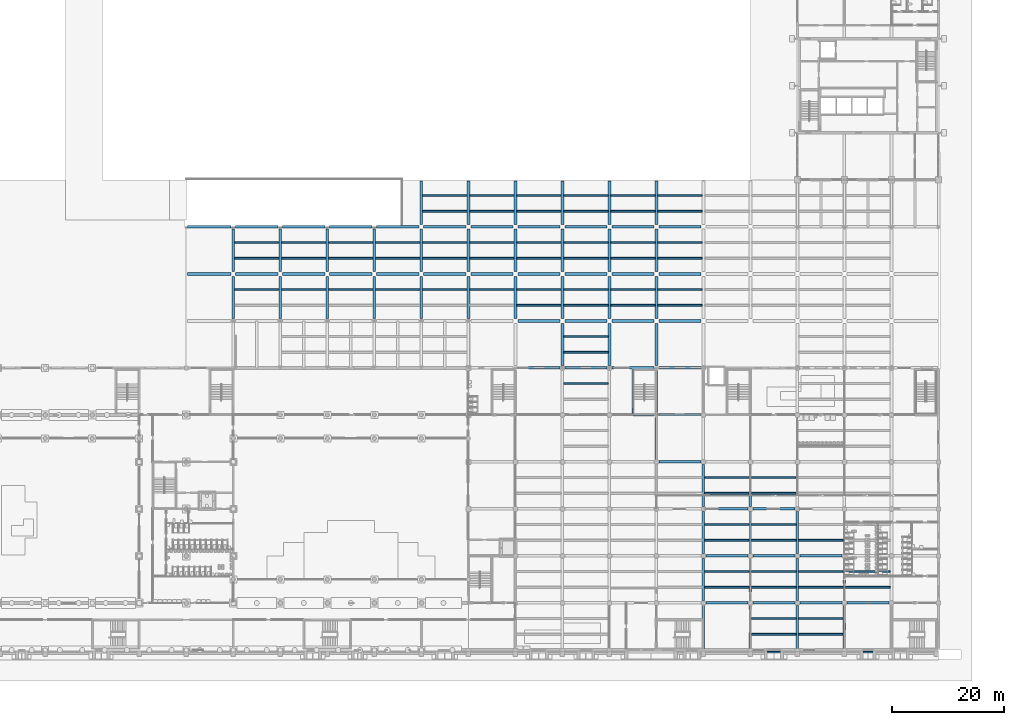
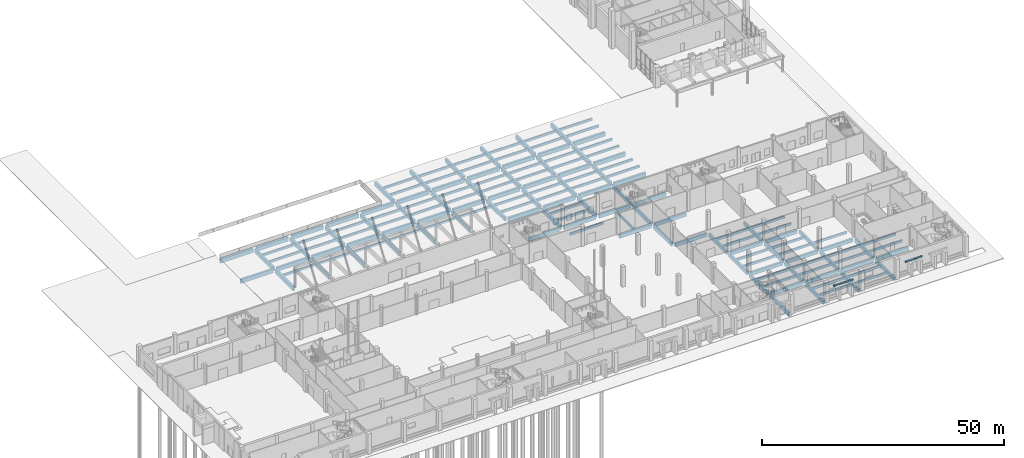
# One storey, part 6 of 74: 159 beams.
"""IFC4 building model written with IfcOpenShell, lengths in metres."""

from ifc_helpers import new_model, si_unit, direction, frame, origin, origin_2d, place, context, subcontext, project, spatial, rectangle, extrude, material, material_profile, profile_set, type_object, element, save


model = new_model("IFC4")

# Units and contexts
model_context = context("Model", 3, precision=1e-05, world=origin(), true_north=direction((0.0, 1.0)))
body_context = subcontext(model_context, "Body", "Model", "MODEL_VIEW")
ifc_project = project(units=[si_unit("LENGTHUNIT", "METRE"), si_unit("AREAUNIT", "SQUARE_METRE"), si_unit("VOLUMEUNIT", "CUBIC_METRE"), si_unit("PLANEANGLEUNIT", "RADIAN"), si_unit("MASSUNIT", "GRAM", prefix="KILO")], contexts=[model_context])

# Site, building, storey
site_placement = place(None, origin())
site = spatial("IfcSite", under=ifc_project, at=site_placement, CompositionType="ELEMENT")
building_placement = place(site_placement, origin())
building = spatial("IfcBuilding", under=site, at=building_placement, Name="Rulbaag Community and Learning Centre", CompositionType="ELEMENT")
storey_placement = place(building_placement, origin())
storey = spatial("IfcBuildingStorey", under=building, at=storey_placement, Name="L00", CompositionType="ELEMENT", Elevation=0.0)

# Beams
ifc_material = material(Name="Concrete M40", Category="concrete")
ifc_material_profile_1 = material_profile(ifc_material, rectangle(XDim=0.449951171875, YDim=0.89990234375, at=origin_2d()), Name="RB450x900")
ifc_profile_set_1 = profile_set([ifc_material_profile_1], Name="Concrete M40")
beam_type_1 = type_object("IfcBeamType", Name="B10 Ground floor beam 450x900 Concrete M40", PredefinedType="BEAM", material=ifc_profile_set_1)
for number, where, z_axis, x_axis, name in (
    (1, (92.830078125, 50.39990234375, -0.75), (1.0, 0.0, 0.0), (0.0, 1.0, 0.0), "BM-L00-12G-13G"),
    (2, (101.22998046875, 50.39990234375, -0.75), (1.0, 0.0, 0.0), (0.0, 1.0, 0.0), "BM-L00-13G-14G"),
    (3, (109.6298828125, 42.0, -0.75), (1.0, 0.0, 0.0), (0.0, 1.0, 0.0), "BM-L00-14F-15F"),
    (4, (109.6298828125, 50.39990234375, -0.75), (1.0, 0.0, 0.0), (0.0, 1.0, 0.0), "BM-L00-14G-15G"),
    (5, (118.030029296875, 33.60009765625, -0.75), (1.0, 0.0, 0.0), (0.0, 1.0, 0.0), "BM-L00-15E-16E"),
    (6, (117.60009765625, 34.030029296875, -0.75), (0.0, 1.0, 0.0), (-1.0, 0.0, 0.0), "BM-L00-15E-15F"),
    (7, (118.030029296875, 42.0, -0.75), (1.0, 0.0, 0.0), (0.0, 1.0, 0.0), "BM-L00-15F-16F"),
    (8, (117.60009765625, 42.429931640625, -0.75), (0.0, 1.0, 0.0), (-1.0, 0.0, 0.0), "BM-L00-15F-15G"),
    (9, (118.030029296875, 50.39990234375, -0.75), (1.0, 0.0, 0.0), (0.0, 1.0, 0.0), "BM-L00-15G-16G"),
):
    element("IfcBeam", number, at=place(storey_placement, frame(where, z_axis=z_axis, x_axis=x_axis)), inside=storey, type_object=beam_type_1, Name=name, PredefinedType="BEAM", context=body_context, shape_type="SweptSolid", body=[
        extrude(rectangle(XDim=0.449951171875, YDim=0.89990234375, at=origin_2d()), origin(), (0.0, 0.0, 1.0), 7.5400390625),
    ])
beam_1_placement = place(storey_placement, frame((126.0, 0.199951171875, -0.75), z_axis=(0.0, 1.0, 0.0), x_axis=(-1.0, 0.0, 0.0)))
element("IfcBeam", 10, at=beam_1_placement, inside=storey, type_object=beam_type_1, Name="BM-L00-16A-16B", PredefinedType="BEAM", context=body_context, shape_type="SweptSolid", body=[
    extrude(rectangle(XDim=0.449951171875, YDim=0.89990234375, at=origin_2d()), origin(), (0.0, 0.0, 1.0), 7.77001953125),
])
for number, where, z_axis, x_axis, name in (
    (11, (126.429931640625, 8.39990234375, -0.75), (1.0, 0.0, 0.0), (0.0, 1.0, 0.0), "BM-L00-16B-17B"),
    (12, (126.0, 8.830078125, -0.75), (0.0, 1.0, 0.0), (-1.0, 0.0, 0.0), "BM-L00-16B-16C"),
    (13, (126.429931640625, 16.800048828125, -0.75), (1.0, 0.0, 0.0), (0.0, 1.0, 0.0), "BM-L00-16C-17C"),
    (14, (126.0, 17.22998046875, -0.75), (0.0, 1.0, 0.0), (-1.0, 0.0, 0.0), "BM-L00-16C-16D"),
    (15, (126.429931640625, 25.199951171875, -0.75), (1.0, 0.0, 0.0), (0.0, 1.0, 0.0), "BM-L00-16D-17D"),
    (16, (126.0, 25.6298828125, -0.75), (0.0, 1.0, 0.0), (-1.0, 0.0, 0.0), "BM-L00-16D-16E"),
):
    element("IfcBeam", number, at=place(storey_placement, frame(where, z_axis=z_axis, x_axis=x_axis)), inside=storey, type_object=beam_type_1, Name=name, PredefinedType="BEAM", context=body_context, shape_type="SweptSolid", body=[
        extrude(rectangle(XDim=0.449951171875, YDim=0.89990234375, at=origin_2d()), origin(), (0.0, 0.0, 1.0), 7.5400390625),
    ])
beam_2_placement = place(storey_placement, frame((134.39990234375, 0.199951171875, -0.75), z_axis=(0.0, 1.0, 0.0), x_axis=(-1.0, 0.0, 0.0)))
element("IfcBeam", 17, at=beam_2_placement, inside=storey, type_object=beam_type_1, Name="BM-L00-17A-17B", PredefinedType="BEAM", context=body_context, shape_type="SweptSolid", body=[
    extrude(rectangle(XDim=0.449951171875, YDim=0.89990234375, at=origin_2d()), origin(), (0.0, 0.0, 1.0), 7.77001953125),
])
for number, where, z_axis, x_axis, name in (
    (18, (134.830078125, 8.39990234375, -0.75), (1.0, 0.0, 0.0), (0.0, 1.0, 0.0), "BM-L00-17B-18B"),
    (19, (134.39990234375, 8.830078125, -0.75), (0.0, 1.0, 0.0), (-1.0, 0.0, 0.0), "BM-L00-17B-17C"),
    (20, (134.830078125, 16.800048828125, -0.75), (1.0, 0.0, 0.0), (0.0, 1.0, 0.0), "BM-L00-17C-18C"),
    (21, (134.39990234375, 17.22998046875, -0.75), (0.0, 1.0, 0.0), (-1.0, 0.0, 0.0), "BM-L00-17C-17D"),
    (22, (134.830078125, 25.199951171875, -0.75), (1.0, 0.0, 0.0), (0.0, 1.0, 0.0), "BM-L00-17D-18D"),
    (23, (134.39990234375, 25.6298828125, -0.75), (0.0, 1.0, 0.0), (-1.0, 0.0, 0.0), "BM-L00-17D-17E"),
):
    element("IfcBeam", number, at=place(storey_placement, frame(where, z_axis=z_axis, x_axis=x_axis)), inside=storey, type_object=beam_type_1, Name=name, PredefinedType="BEAM", context=body_context, shape_type="SweptSolid", body=[
        extrude(rectangle(XDim=0.449951171875, YDim=0.89990234375, at=origin_2d()), origin(), (0.0, 0.0, 1.0), 7.5400390625),
    ])
beam_3_placement = place(storey_placement, frame((142.800048828125, 0.199951171875, -0.75), z_axis=(0.0, 1.0, 0.0), x_axis=(-1.0, 0.0, 0.0)))
element("IfcBeam", 24, at=beam_3_placement, inside=storey, type_object=beam_type_1, Name="BM-L00-18A-18B", PredefinedType="BEAM", context=body_context, shape_type="SweptSolid", body=[
    extrude(rectangle(XDim=0.449951171875, YDim=0.89990234375, at=origin_2d()), origin(), (0.0, 0.0, 1.0), 7.77001953125),
])
for number, where, z_axis, x_axis, name in (
    (25, (143.22998046875, 8.39990234375, -0.75), (1.0, 0.0, 0.0), (0.0, 1.0, 0.0), "BM-L00-18B-19B"),
    (26, (142.800048828125, 8.830078125, -0.75), (0.0, 1.0, 0.0), (-1.0, 0.0, 0.0), "BM-L00-18B-18C"),
    (27, (143.22998046875, 16.800048828125, -0.75), (1.0, 0.0, 0.0), (0.0, 1.0, 0.0), "BM-L00-18C-19C"),
    (28, (142.800048828125, 17.22998046875, -0.75), (0.0, 1.0, 0.0), (-1.0, 0.0, 0.0), "BM-L00-18C-18D"),
):
    element("IfcBeam", number, at=place(storey_placement, frame(where, z_axis=z_axis, x_axis=x_axis)), inside=storey, type_object=beam_type_1, Name=name, PredefinedType="BEAM", context=body_context, shape_type="SweptSolid", body=[
        extrude(rectangle(XDim=0.449951171875, YDim=0.89990234375, at=origin_2d()), origin(), (0.0, 0.0, 1.0), 7.5400390625),
    ])
beam_4_placement = place(storey_placement, frame((151.199951171875, 0.199951171875, -0.75), z_axis=(0.0, 1.0, 0.0), x_axis=(-1.0, 0.0, 0.0)))
element("IfcBeam", 29, at=beam_4_placement, inside=storey, type_object=beam_type_1, Name="BM-L00-19A-19B", PredefinedType="BEAM", context=body_context, shape_type="SweptSolid", body=[
    extrude(rectangle(XDim=0.449951171875, YDim=0.89990234375, at=origin_2d()), origin(), (0.0, 0.0, 1.0), 7.77001953125),
])
for number, where, z_axis, x_axis, name in (
    (30, (151.6298828125, 8.39990234375, -0.75), (1.0, 0.0, 0.0), (0.0, 1.0, 0.0), "BM-L00-19B-20B"),
    (31, (151.199951171875, 8.830078125, -0.75), (0.0, 1.0, 0.0), (-1.0, 0.0, 0.0), "BM-L00-19B-19C"),
):
    element("IfcBeam", number, at=place(storey_placement, frame(where, z_axis=z_axis, x_axis=x_axis)), inside=storey, type_object=beam_type_1, Name=name, PredefinedType="BEAM", context=body_context, shape_type="SweptSolid", body=[
        extrude(rectangle(XDim=0.449951171875, YDim=0.89990234375, at=origin_2d()), origin(), (0.0, 0.0, 1.0), 7.5400390625),
    ])
ifc_material_profile_2 = material_profile(ifc_material, rectangle(XDim=0.5, YDim=1.0, at=origin_2d()), Name="RB500x1000")
ifc_profile_set_2 = profile_set([ifc_material_profile_2], Name="Concrete M40")
beam_type_2 = type_object("IfcBeamType", Name="B12 Plaza deck beam 500x1000 Concrete M40", PredefinedType="BEAM", material=ifc_profile_set_2)
for number, where, z_axis, x_axis, name in (
    (32, (33.800048828125, 67.199951171875, -0.800048828125), (1.0, 0.0, 0.0), (0.0, 1.0, 0.0), "BM-L00-5I-6I"),
    (33, (33.800048828125, 75.60009765625, -0.800048828125), (1.0, 0.0, 0.0), (0.0, 1.0, 0.0), "BM-L00-5J-6J"),
):
    element("IfcBeam", number, at=place(storey_placement, frame(where, z_axis=z_axis, x_axis=x_axis)), inside=storey, type_object=beam_type_2, Name=name, PredefinedType="BEAM", context=body_context, shape_type="SweptSolid", body=[
        extrude(rectangle(XDim=0.5, YDim=1.0, at=origin_2d()), origin(), (0.0, 0.0, 1.0), 7.77001953125),
    ])
for number, where, z_axis, x_axis, name in (
    (34, (42.0, 59.22998046875, -0.800048828125), (0.0, 1.0, 0.0), (-1.0, 0.0, 0.0), "BM-L00-6H-6I"),
    (35, (42.429931640625, 67.199951171875, -0.800048828125), (1.0, 0.0, 0.0), (0.0, 1.0, 0.0), "BM-L00-6I-7I"),
    (36, (42.0, 67.6298828125, -0.800048828125), (0.0, 1.0, 0.0), (-1.0, 0.0, 0.0), "BM-L00-6I-6J"),
    (37, (42.429931640625, 75.60009765625, -0.800048828125), (1.0, 0.0, 0.0), (0.0, 1.0, 0.0), "BM-L00-6J-7J"),
    (38, (50.39990234375, 59.22998046875, -0.800048828125), (0.0, 1.0, 0.0), (-1.0, 0.0, 0.0), "BM-L00-7H-7I"),
    (39, (50.830078125, 67.199951171875, -0.800048828125), (1.0, 0.0, 0.0), (0.0, 1.0, 0.0), "BM-L00-7I-8I"),
    (40, (50.39990234375, 67.6298828125, -0.800048828125), (0.0, 1.0, 0.0), (-1.0, 0.0, 0.0), "BM-L00-7I-7J"),
    (41, (50.830078125, 75.60009765625, -0.800048828125), (1.0, 0.0, 0.0), (0.0, 1.0, 0.0), "BM-L00-7J-8J"),
    (42, (58.800048828125, 59.22998046875, -0.800048828125), (0.0, 1.0, 0.0), (-1.0, 0.0, 0.0), "BM-L00-8H-8I"),
    (43, (59.22998046875, 67.199951171875, -0.800048828125), (1.0, 0.0, 0.0), (0.0, 1.0, 0.0), "BM-L00-8I-9I"),
    (44, (58.800048828125, 67.6298828125, -0.800048828125), (0.0, 1.0, 0.0), (-1.0, 0.0, 0.0), "BM-L00-8I-8J"),
    (45, (59.22998046875, 75.60009765625, -0.800048828125), (1.0, 0.0, 0.0), (0.0, 1.0, 0.0), "BM-L00-8J-9J"),
    (46, (67.199951171875, 59.22998046875, -0.800048828125), (0.0, 1.0, 0.0), (-1.0, 0.0, 0.0), "BM-L00-9H-9I"),
    (47, (67.6298828125, 67.199951171875, -0.800048828125), (1.0, 0.0, 0.0), (0.0, 1.0, 0.0), "BM-L00-9I-10I"),
    (48, (67.199951171875, 67.6298828125, -0.800048828125), (0.0, 1.0, 0.0), (-1.0, 0.0, 0.0), "BM-L00-9I-9J"),
    (49, (67.6298828125, 75.60009765625, -0.800048828125), (1.0, 0.0, 0.0), (0.0, 1.0, 0.0), "BM-L00-9J-10J"),
    (50, (75.60009765625, 59.22998046875, -0.800048828125), (0.0, 1.0, 0.0), (-1.0, 0.0, 0.0), "BM-L00-10H-10I"),
    (51, (76.030029296875, 67.199951171875, -0.800048828125), (1.0, 0.0, 0.0), (0.0, 1.0, 0.0), "BM-L00-10I-11I"),
    (52, (75.60009765625, 67.6298828125, -0.800048828125), (0.0, 1.0, 0.0), (-1.0, 0.0, 0.0), "BM-L00-10I-10J"),
    (53, (76.030029296875, 75.60009765625, -0.800048828125), (1.0, 0.0, 0.0), (0.0, 1.0, 0.0), "BM-L00-10J-11J"),
):
    element("IfcBeam", number, at=place(storey_placement, frame(where, z_axis=z_axis, x_axis=x_axis)), inside=storey, type_object=beam_type_2, Name=name, PredefinedType="BEAM", context=body_context, shape_type="SweptSolid", body=[
        extrude(rectangle(XDim=0.5, YDim=1.0, at=origin_2d()), origin(), (0.0, 0.0, 1.0), 7.5400390625),
    ])
beam_5_placement = place(storey_placement, frame((75.60009765625, 76.030029296875, -0.800048828125), z_axis=(0.0, 1.0, 0.0), x_axis=(-1.0, 0.0, 0.0)))
element("IfcBeam", 54, at=beam_5_placement, inside=storey, type_object=beam_type_2, Name="BM-L00-10J-10K", PredefinedType="BEAM", context=body_context, shape_type="SweptSolid", body=[
    extrude(rectangle(XDim=0.5, YDim=1.0, at=origin_2d()), origin(), (0.0, 0.0, 1.0), 7.77001953125),
])
for number, where, z_axis, x_axis, name in (
    (55, (84.0, 59.22998046875, -0.800048828125), (0.0, 1.0, 0.0), (-1.0, 0.0, 0.0), "BM-L00-11H-11I"),
    (56, (84.429931640625, 67.199951171875, -0.800048828125), (1.0, 0.0, 0.0), (0.0, 1.0, 0.0), "BM-L00-11I-12I"),
    (57, (84.0, 67.6298828125, -0.800048828125), (0.0, 1.0, 0.0), (-1.0, 0.0, 0.0), "BM-L00-11I-11J"),
    (58, (84.429931640625, 75.60009765625, -0.800048828125), (1.0, 0.0, 0.0), (0.0, 1.0, 0.0), "BM-L00-11J-12J"),
):
    element("IfcBeam", number, at=place(storey_placement, frame(where, z_axis=z_axis, x_axis=x_axis)), inside=storey, type_object=beam_type_2, Name=name, PredefinedType="BEAM", context=body_context, shape_type="SweptSolid", body=[
        extrude(rectangle(XDim=0.5, YDim=1.0, at=origin_2d()), origin(), (0.0, 0.0, 1.0), 7.5400390625),
    ])
beam_6_placement = place(storey_placement, frame((84.0, 76.030029296875, -0.800048828125), z_axis=(0.0, 1.0, 0.0), x_axis=(-1.0, 0.0, 0.0)))
element("IfcBeam", 59, at=beam_6_placement, inside=storey, type_object=beam_type_2, Name="BM-L00-11J-11K", PredefinedType="BEAM", context=body_context, shape_type="SweptSolid", body=[
    extrude(rectangle(XDim=0.5, YDim=1.0, at=origin_2d()), origin(), (0.0, 0.0, 1.0), 7.77001953125),
])
for number, where, z_axis, x_axis, name in (
    (60, (92.830078125, 58.800048828125, -0.800048828125), (1.0, 0.0, 0.0), (0.0, 1.0, 0.0), "BM-L00-12H-13H"),
    (61, (92.39990234375, 59.22998046875, -0.800048828125), (0.0, 1.0, 0.0), (-1.0, 0.0, 0.0), "BM-L00-12H-12I"),
    (62, (92.830078125, 67.199951171875, -0.800048828125), (1.0, 0.0, 0.0), (0.0, 1.0, 0.0), "BM-L00-12I-13I"),
    (63, (92.39990234375, 67.6298828125, -0.800048828125), (0.0, 1.0, 0.0), (-1.0, 0.0, 0.0), "BM-L00-12I-12J"),
    (64, (92.830078125, 75.60009765625, -0.800048828125), (1.0, 0.0, 0.0), (0.0, 1.0, 0.0), "BM-L00-12J-13J"),
):
    element("IfcBeam", number, at=place(storey_placement, frame(where, z_axis=z_axis, x_axis=x_axis)), inside=storey, type_object=beam_type_2, Name=name, PredefinedType="BEAM", context=body_context, shape_type="SweptSolid", body=[
        extrude(rectangle(XDim=0.5, YDim=1.0, at=origin_2d()), origin(), (0.0, 0.0, 1.0), 7.5400390625),
    ])
beam_7_placement = place(storey_placement, frame((92.39990234375, 76.030029296875, -0.800048828125), z_axis=(0.0, 1.0, 0.0), x_axis=(-1.0, 0.0, 0.0)))
element("IfcBeam", 65, at=beam_7_placement, inside=storey, type_object=beam_type_2, Name="BM-L00-12J-12K", PredefinedType="BEAM", context=body_context, shape_type="SweptSolid", body=[
    extrude(rectangle(XDim=0.5, YDim=1.0, at=origin_2d()), origin(), (0.0, 0.0, 1.0), 7.77001953125),
])
for number, where, z_axis, x_axis, name in (
    (66, (100.800048828125, 50.830078125, -0.800048828125), (0.0, 1.0, 0.0), (-1.0, 0.0, 0.0), "BM-L00-13G-13H"),
    (67, (101.22998046875, 58.800048828125, -0.800048828125), (1.0, 0.0, 0.0), (0.0, 1.0, 0.0), "BM-L00-13H-14H"),
    (68, (100.800048828125, 59.22998046875, -0.800048828125), (0.0, 1.0, 0.0), (-1.0, 0.0, 0.0), "BM-L00-13H-13I"),
    (69, (101.22998046875, 67.199951171875, -0.800048828125), (1.0, 0.0, 0.0), (0.0, 1.0, 0.0), "BM-L00-13I-14I"),
    (70, (100.800048828125, 67.6298828125, -0.800048828125), (0.0, 1.0, 0.0), (-1.0, 0.0, 0.0), "BM-L00-13I-13J"),
    (71, (101.22998046875, 75.60009765625, -0.800048828125), (1.0, 0.0, 0.0), (0.0, 1.0, 0.0), "BM-L00-13J-14J"),
):
    element("IfcBeam", number, at=place(storey_placement, frame(where, z_axis=z_axis, x_axis=x_axis)), inside=storey, type_object=beam_type_2, Name=name, PredefinedType="BEAM", context=body_context, shape_type="SweptSolid", body=[
        extrude(rectangle(XDim=0.5, YDim=1.0, at=origin_2d()), origin(), (0.0, 0.0, 1.0), 7.5400390625),
    ])
beam_8_placement = place(storey_placement, frame((100.800048828125, 76.030029296875, -0.800048828125), z_axis=(0.0, 1.0, 0.0), x_axis=(-1.0, 0.0, 0.0)))
element("IfcBeam", 72, at=beam_8_placement, inside=storey, type_object=beam_type_2, Name="BM-L00-13J-13K", PredefinedType="BEAM", context=body_context, shape_type="SweptSolid", body=[
    extrude(rectangle(XDim=0.5, YDim=1.0, at=origin_2d()), origin(), (0.0, 0.0, 1.0), 7.77001953125),
])
for number, where, z_axis, x_axis, name in (
    (73, (109.199951171875, 50.830078125, -0.800048828125), (0.0, 1.0, 0.0), (-1.0, 0.0, 0.0), "BM-L00-14G-14H"),
    (74, (109.6298828125, 58.800048828125, -0.800048828125), (1.0, 0.0, 0.0), (0.0, 1.0, 0.0), "BM-L00-14H-15H"),
    (75, (109.199951171875, 59.22998046875, -0.800048828125), (0.0, 1.0, 0.0), (-1.0, 0.0, 0.0), "BM-L00-14H-14I"),
    (76, (109.6298828125, 67.199951171875, -0.800048828125), (1.0, 0.0, 0.0), (0.0, 1.0, 0.0), "BM-L00-14I-15I"),
    (77, (109.199951171875, 67.6298828125, -0.800048828125), (0.0, 1.0, 0.0), (-1.0, 0.0, 0.0), "BM-L00-14I-14J"),
    (78, (109.6298828125, 75.60009765625, -0.800048828125), (1.0, 0.0, 0.0), (0.0, 1.0, 0.0), "BM-L00-14J-15J"),
):
    element("IfcBeam", number, at=place(storey_placement, frame(where, z_axis=z_axis, x_axis=x_axis)), inside=storey, type_object=beam_type_2, Name=name, PredefinedType="BEAM", context=body_context, shape_type="SweptSolid", body=[
        extrude(rectangle(XDim=0.5, YDim=1.0, at=origin_2d()), origin(), (0.0, 0.0, 1.0), 7.5400390625),
    ])
beam_9_placement = place(storey_placement, frame((109.199951171875, 76.030029296875, -0.800048828125), z_axis=(0.0, 1.0, 0.0), x_axis=(-1.0, 0.0, 0.0)))
element("IfcBeam", 79, at=beam_9_placement, inside=storey, type_object=beam_type_2, Name="BM-L00-14J-14K", PredefinedType="BEAM", context=body_context, shape_type="SweptSolid", body=[
    extrude(rectangle(XDim=0.5, YDim=1.0, at=origin_2d()), origin(), (0.0, 0.0, 1.0), 7.77001953125),
])
for number, where, z_axis, x_axis, name in (
    (80, (117.60009765625, 50.830078125, -0.800048828125), (0.0, 1.0, 0.0), (-1.0, 0.0, 0.0), "BM-L00-15G-15H"),
    (81, (118.030029296875, 58.800048828125, -0.800048828125), (1.0, 0.0, 0.0), (0.0, 1.0, 0.0), "BM-L00-15H-16H"),
    (82, (117.60009765625, 59.22998046875, -0.800048828125), (0.0, 1.0, 0.0), (-1.0, 0.0, 0.0), "BM-L00-15H-15I"),
    (83, (118.030029296875, 67.199951171875, -0.800048828125), (1.0, 0.0, 0.0), (0.0, 1.0, 0.0), "BM-L00-15I-16I"),
    (84, (117.60009765625, 67.6298828125, -0.800048828125), (0.0, 1.0, 0.0), (-1.0, 0.0, 0.0), "BM-L00-15I-15J"),
    (85, (118.030029296875, 75.60009765625, -0.800048828125), (1.0, 0.0, 0.0), (0.0, 1.0, 0.0), "BM-L00-15J-16J"),
):
    element("IfcBeam", number, at=place(storey_placement, frame(where, z_axis=z_axis, x_axis=x_axis)), inside=storey, type_object=beam_type_2, Name=name, PredefinedType="BEAM", context=body_context, shape_type="SweptSolid", body=[
        extrude(rectangle(XDim=0.5, YDim=1.0, at=origin_2d()), origin(), (0.0, 0.0, 1.0), 7.5400390625),
    ])
beam_10_placement = place(storey_placement, frame((117.60009765625, 76.030029296875, -0.800048828125), z_axis=(0.0, 1.0, 0.0), x_axis=(-1.0, 0.0, 0.0)))
element("IfcBeam", 86, at=beam_10_placement, inside=storey, type_object=beam_type_2, Name="BM-L00-15J-15K", PredefinedType="BEAM", context=body_context, shape_type="SweptSolid", body=[
    extrude(rectangle(XDim=0.5, YDim=1.0, at=origin_2d()), origin(), (0.0, 0.0, 1.0), 7.77001953125),
])
ifc_material_profile_3 = material_profile(ifc_material, rectangle(XDim=0.300048828125, YDim=0.60009765625, at=origin_2d()), Name="RB300x600")
ifc_profile_set_3 = profile_set([ifc_material_profile_3], Name="Concrete M40")
beam_type_3 = type_object("IfcBeamType", Name="B30 Secondary joist 300x600 Concrete M40", PredefinedType="BEAM", material=ifc_profile_set_3)
for number, where, z_axis, x_axis, name in (
    (87, (42.25, 64.39990234375, -0.60009765625), (1.0, 0.0, 0.0), (0.0, 1.0, 0.0), "BM-JS-L00-6H-2"),
    (88, (42.25, 70.0, -0.60009765625), (1.0, 0.0, 0.0), (0.0, 1.0, 0.0), "BM-JS-L00-6I-1"),
    (89, (42.25, 72.800048828125, -0.60009765625), (1.0, 0.0, 0.0), (0.0, 1.0, 0.0), "BM-JS-L00-6I-2"),
):
    element("IfcBeam", number, at=place(storey_placement, frame(where, z_axis=z_axis, x_axis=x_axis)), inside=storey, type_object=beam_type_3, Name=name, PredefinedType="BEAM", context=body_context, shape_type="SweptSolid", body=[
        extrude(rectangle(XDim=0.300048828125, YDim=0.60009765625, at=origin_2d()), origin(), (0.0, 0.0, 1.0), 7.89990234375),
    ])
for number, where, z_axis, x_axis, name in (
    (90, (50.64990234375, 64.39990234375, -0.60009765625), (1.0, 0.0, 0.0), (0.0, 1.0, 0.0), "BM-JS-L00-7H-2"),
    (91, (50.64990234375, 70.0, -0.60009765625), (1.0, 0.0, 0.0), (0.0, 1.0, 0.0), "BM-JS-L00-7I-1"),
    (92, (50.64990234375, 72.800048828125, -0.60009765625), (1.0, 0.0, 0.0), (0.0, 1.0, 0.0), "BM-JS-L00-7I-2"),
):
    element("IfcBeam", number, at=place(storey_placement, frame(where, z_axis=z_axis, x_axis=x_axis)), inside=storey, type_object=beam_type_3, Name=name, PredefinedType="BEAM", context=body_context, shape_type="SweptSolid", body=[
        extrude(rectangle(XDim=0.300048828125, YDim=0.60009765625, at=origin_2d()), origin(), (0.0, 0.0, 1.0), 7.900146484375),
    ])
for number, where, z_axis, x_axis, name in (
    (93, (59.050048828125, 64.39990234375, -0.60009765625), (1.0, 0.0, 0.0), (0.0, 1.0, 0.0), "BM-JS-L00-8H-2"),
    (94, (59.050048828125, 70.0, -0.60009765625), (1.0, 0.0, 0.0), (0.0, 1.0, 0.0), "BM-JS-L00-8I-1"),
    (95, (59.050048828125, 72.800048828125, -0.60009765625), (1.0, 0.0, 0.0), (0.0, 1.0, 0.0), "BM-JS-L00-8I-2"),
):
    element("IfcBeam", number, at=place(storey_placement, frame(where, z_axis=z_axis, x_axis=x_axis)), inside=storey, type_object=beam_type_3, Name=name, PredefinedType="BEAM", context=body_context, shape_type="SweptSolid", body=[
        extrude(rectangle(XDim=0.300048828125, YDim=0.60009765625, at=origin_2d()), origin(), (0.0, 0.0, 1.0), 7.89990234375),
    ])
for number, where, z_axis, x_axis, name in (
    (96, (67.449951171875, 64.39990234375, -0.60009765625), (1.0, 0.0, 0.0), (0.0, 1.0, 0.0), "BM-JS-L00-9H-2"),
    (97, (67.449951171875, 70.0, -0.60009765625), (1.0, 0.0, 0.0), (0.0, 1.0, 0.0), "BM-JS-L00-9I-1"),
    (98, (67.449951171875, 72.800048828125, -0.60009765625), (1.0, 0.0, 0.0), (0.0, 1.0, 0.0), "BM-JS-L00-9I-2"),
):
    element("IfcBeam", number, at=place(storey_placement, frame(where, z_axis=z_axis, x_axis=x_axis)), inside=storey, type_object=beam_type_3, Name=name, PredefinedType="BEAM", context=body_context, shape_type="SweptSolid", body=[
        extrude(rectangle(XDim=0.300048828125, YDim=0.60009765625, at=origin_2d()), origin(), (0.0, 0.0, 1.0), 7.900146484375),
    ])
for number, where, z_axis, x_axis, name in (
    (99, (75.85009765625, 64.39990234375, -0.60009765625), (1.0, 0.0, 0.0), (0.0, 1.0, 0.0), "BM-JS-L00-10H-2"),
    (100, (75.85009765625, 70.0, -0.60009765625), (1.0, 0.0, 0.0), (0.0, 1.0, 0.0), "BM-JS-L00-10I-1"),
    (101, (75.85009765625, 72.800048828125, -0.60009765625), (1.0, 0.0, 0.0), (0.0, 1.0, 0.0), "BM-JS-L00-10I-2"),
    (102, (75.85009765625, 78.39990234375, -0.60009765625), (1.0, 0.0, 0.0), (0.0, 1.0, 0.0), "BM-JS-L00-10J-1"),
    (103, (75.85009765625, 81.199951171875, -0.60009765625), (1.0, 0.0, 0.0), (0.0, 1.0, 0.0), "BM-JS-L00-10J-2"),
    (104, (84.25, 64.39990234375, -0.60009765625), (1.0, 0.0, 0.0), (0.0, 1.0, 0.0), "BM-JS-L00-11H-2"),
    (105, (84.25, 70.0, -0.60009765625), (1.0, 0.0, 0.0), (0.0, 1.0, 0.0), "BM-JS-L00-11I-1"),
    (106, (84.25, 72.800048828125, -0.60009765625), (1.0, 0.0, 0.0), (0.0, 1.0, 0.0), "BM-JS-L00-11I-2"),
    (107, (84.25, 78.39990234375, -0.60009765625), (1.0, 0.0, 0.0), (0.0, 1.0, 0.0), "BM-JS-L00-11J-1"),
    (108, (84.25, 81.199951171875, -0.60009765625), (1.0, 0.0, 0.0), (0.0, 1.0, 0.0), "BM-JS-L00-11J-2"),
):
    element("IfcBeam", number, at=place(storey_placement, frame(where, z_axis=z_axis, x_axis=x_axis)), inside=storey, type_object=beam_type_3, Name=name, PredefinedType="BEAM", context=body_context, shape_type="SweptSolid", body=[
        extrude(rectangle(XDim=0.300048828125, YDim=0.60009765625, at=origin_2d()), origin(), (0.0, 0.0, 1.0), 7.89990234375),
    ])
for number, where, z_axis, x_axis, name in (
    (109, (92.64990234375, 61.60009765625, -0.60009765625), (1.0, 0.0, 0.0), (0.0, 1.0, 0.0), "BM-JS-L00-12H-1"),
    (110, (92.64990234375, 64.39990234375, -0.60009765625), (1.0, 0.0, 0.0), (0.0, 1.0, 0.0), "BM-JS-L00-12H-2"),
    (111, (92.64990234375, 70.0, -0.60009765625), (1.0, 0.0, 0.0), (0.0, 1.0, 0.0), "BM-JS-L00-12I-1"),
    (112, (92.64990234375, 72.800048828125, -0.60009765625), (1.0, 0.0, 0.0), (0.0, 1.0, 0.0), "BM-JS-L00-12I-2"),
    (113, (92.64990234375, 78.39990234375, -0.60009765625), (1.0, 0.0, 0.0), (0.0, 1.0, 0.0), "BM-JS-L00-12J-1"),
    (114, (92.64990234375, 81.199951171875, -0.60009765625), (1.0, 0.0, 0.0), (0.0, 1.0, 0.0), "BM-JS-L00-12J-2"),
):
    element("IfcBeam", number, at=place(storey_placement, frame(where, z_axis=z_axis, x_axis=x_axis)), inside=storey, type_object=beam_type_3, Name=name, PredefinedType="BEAM", context=body_context, shape_type="SweptSolid", body=[
        extrude(rectangle(XDim=0.300048828125, YDim=0.60009765625, at=origin_2d()), origin(), (0.0, 0.0, 1.0), 7.900146484375),
    ])
beam_11_placement = place(storey_placement, frame((101.02490234375, 47.60009765625, -0.60009765625), z_axis=(1.0, 0.0, 0.0), x_axis=(0.0, 1.0, 0.0)))
element("IfcBeam", 115, at=beam_11_placement, inside=storey, type_object=beam_type_3, Name="BM-JS-L00-13F-2", PredefinedType="BEAM", context=body_context, shape_type="SweptSolid", body=[
    extrude(rectangle(XDim=0.300048828125, YDim=0.60009765625, at=origin_2d()), origin(), (0.0, 0.0, 1.0), 7.9501953125),
])
for number, where, z_axis, x_axis, name in (
    (116, (101.050048828125, 53.199951171875, -0.60009765625), (1.0, 0.0, 0.0), (0.0, 1.0, 0.0), "BM-JS-L00-13G-1"),
    (117, (101.050048828125, 56.0, -0.60009765625), (1.0, 0.0, 0.0), (0.0, 1.0, 0.0), "BM-JS-L00-13G-2"),
    (118, (101.050048828125, 61.60009765625, -0.60009765625), (1.0, 0.0, 0.0), (0.0, 1.0, 0.0), "BM-JS-L00-13H-1"),
    (119, (101.050048828125, 64.39990234375, -0.60009765625), (1.0, 0.0, 0.0), (0.0, 1.0, 0.0), "BM-JS-L00-13H-2"),
    (120, (101.050048828125, 70.0, -0.60009765625), (1.0, 0.0, 0.0), (0.0, 1.0, 0.0), "BM-JS-L00-13I-1"),
    (121, (101.050048828125, 72.800048828125, -0.60009765625), (1.0, 0.0, 0.0), (0.0, 1.0, 0.0), "BM-JS-L00-13I-2"),
    (122, (101.050048828125, 78.39990234375, -0.60009765625), (1.0, 0.0, 0.0), (0.0, 1.0, 0.0), "BM-JS-L00-13J-1"),
    (123, (101.050048828125, 81.199951171875, -0.60009765625), (1.0, 0.0, 0.0), (0.0, 1.0, 0.0), "BM-JS-L00-13J-2"),
):
    element("IfcBeam", number, at=place(storey_placement, frame(where, z_axis=z_axis, x_axis=x_axis)), inside=storey, type_object=beam_type_3, Name=name, PredefinedType="BEAM", context=body_context, shape_type="SweptSolid", body=[
        extrude(rectangle(XDim=0.300048828125, YDim=0.60009765625, at=origin_2d()), origin(), (0.0, 0.0, 1.0), 7.89990234375),
    ])
for number, where, z_axis, x_axis, name in (
    (124, (109.449951171875, 61.60009765625, -0.60009765625), (1.0, 0.0, 0.0), (0.0, 1.0, 0.0), "BM-JS-L00-14H-1"),
    (125, (109.449951171875, 64.39990234375, -0.60009765625), (1.0, 0.0, 0.0), (0.0, 1.0, 0.0), "BM-JS-L00-14H-2"),
    (126, (109.449951171875, 70.0, -0.60009765625), (1.0, 0.0, 0.0), (0.0, 1.0, 0.0), "BM-JS-L00-14I-1"),
    (127, (109.449951171875, 72.800048828125, -0.60009765625), (1.0, 0.0, 0.0), (0.0, 1.0, 0.0), "BM-JS-L00-14I-2"),
    (128, (109.449951171875, 78.39990234375, -0.60009765625), (1.0, 0.0, 0.0), (0.0, 1.0, 0.0), "BM-JS-L00-14J-1"),
    (129, (109.449951171875, 81.199951171875, -0.60009765625), (1.0, 0.0, 0.0), (0.0, 1.0, 0.0), "BM-JS-L00-14J-2"),
):
    element("IfcBeam", number, at=place(storey_placement, frame(where, z_axis=z_axis, x_axis=x_axis)), inside=storey, type_object=beam_type_3, Name=name, PredefinedType="BEAM", context=body_context, shape_type="SweptSolid", body=[
        extrude(rectangle(XDim=0.300048828125, YDim=0.60009765625, at=origin_2d()), origin(), (0.0, 0.0, 1.0), 7.900146484375),
    ])
for number, where, z_axis, x_axis, name in (
    (130, (117.85009765625, 61.60009765625, -0.60009765625), (1.0, 0.0, 0.0), (0.0, 1.0, 0.0), "BM-JS-L00-15H-1"),
    (131, (117.85009765625, 64.39990234375, -0.60009765625), (1.0, 0.0, 0.0), (0.0, 1.0, 0.0), "BM-JS-L00-15H-2"),
    (132, (117.85009765625, 70.0, -0.60009765625), (1.0, 0.0, 0.0), (0.0, 1.0, 0.0), "BM-JS-L00-15I-1"),
    (133, (117.85009765625, 72.800048828125, -0.60009765625), (1.0, 0.0, 0.0), (0.0, 1.0, 0.0), "BM-JS-L00-15I-2"),
    (134, (117.85009765625, 78.39990234375, -0.60009765625), (1.0, 0.0, 0.0), (0.0, 1.0, 0.0), "BM-JS-L00-15J-1"),
    (135, (117.85009765625, 81.199951171875, -0.60009765625), (1.0, 0.0, 0.0), (0.0, 1.0, 0.0), "BM-JS-L00-15J-2"),
):
    element("IfcBeam", number, at=place(storey_placement, frame(where, z_axis=z_axis, x_axis=x_axis)), inside=storey, type_object=beam_type_3, Name=name, PredefinedType="BEAM", context=body_context, shape_type="SweptSolid", body=[
        extrude(rectangle(XDim=0.300048828125, YDim=0.60009765625, at=origin_2d()), origin(), (0.0, 0.0, 1.0), 7.89990234375),
    ])
for number, where, z_axis, x_axis, name in (
    (136, (126.22509765625, 11.199951171875, -0.60009765625), (1.0, 0.0, 0.0), (0.0, 1.0, 0.0), "BM-JS-L00-16B-1"),
    (137, (126.22509765625, 14.0, -0.60009765625), (1.0, 0.0, 0.0), (0.0, 1.0, 0.0), "BM-JS-L00-16B-2"),
    (138, (126.22509765625, 19.60009765625, -0.60009765625), (1.0, 0.0, 0.0), (0.0, 1.0, 0.0), "BM-JS-L00-16C-1"),
    (139, (126.22509765625, 22.39990234375, -0.60009765625), (1.0, 0.0, 0.0), (0.0, 1.0, 0.0), "BM-JS-L00-16C-2"),
    (140, (126.22509765625, 28.0, -0.60009765625), (1.0, 0.0, 0.0), (0.0, 1.0, 0.0), "BM-JS-L00-16D-1"),
    (141, (126.22509765625, 30.800048828125, -0.60009765625), (1.0, 0.0, 0.0), (0.0, 1.0, 0.0), "BM-JS-L00-16D-2"),
    (142, (134.625, 2.800048828125, -0.60009765625), (1.0, 0.0, 0.0), (0.0, 1.0, 0.0), "BM-JS-L00-17A-1"),
    (143, (134.625, 5.60009765625, -0.60009765625), (1.0, 0.0, 0.0), (0.0, 1.0, 0.0), "BM-JS-L00-17A-2"),
    (144, (134.625, 11.199951171875, -0.60009765625), (1.0, 0.0, 0.0), (0.0, 1.0, 0.0), "BM-JS-L00-17B-1"),
    (145, (134.625, 14.0, -0.60009765625), (1.0, 0.0, 0.0), (0.0, 1.0, 0.0), "BM-JS-L00-17B-2"),
    (146, (134.625, 19.60009765625, -0.60009765625), (1.0, 0.0, 0.0), (0.0, 1.0, 0.0), "BM-JS-L00-17C-1"),
    (147, (134.625, 22.39990234375, -0.60009765625), (1.0, 0.0, 0.0), (0.0, 1.0, 0.0), "BM-JS-L00-17C-2"),
    (148, (134.625, 28.0, -0.60009765625), (1.0, 0.0, 0.0), (0.0, 1.0, 0.0), "BM-JS-L00-17D-1"),
    (149, (134.625, 30.800048828125, -0.60009765625), (1.0, 0.0, 0.0), (0.0, 1.0, 0.0), "BM-JS-L00-17D-2"),
):
    element("IfcBeam", number, at=place(storey_placement, frame(where, z_axis=z_axis, x_axis=x_axis)), inside=storey, type_object=beam_type_3, Name=name, PredefinedType="BEAM", context=body_context, shape_type="SweptSolid", body=[
        extrude(rectangle(XDim=0.300048828125, YDim=0.60009765625, at=origin_2d()), origin(), (0.0, 0.0, 1.0), 7.949951171875),
    ])
for number, where, z_axis, x_axis, name in (
    (150, (143.02490234375, 2.800048828125, -0.60009765625), (1.0, 0.0, 0.0), (0.0, 1.0, 0.0), "BM-JS-L00-18A-1"),
    (151, (143.02490234375, 5.60009765625, -0.60009765625), (1.0, 0.0, 0.0), (0.0, 1.0, 0.0), "BM-JS-L00-18A-2"),
    (152, (143.02490234375, 11.199951171875, -0.60009765625), (1.0, 0.0, 0.0), (0.0, 1.0, 0.0), "BM-JS-L00-18B-1"),
    (153, (143.02490234375, 14.0, -0.60009765625), (1.0, 0.0, 0.0), (0.0, 1.0, 0.0), "BM-JS-L00-18B-2"),
    (154, (143.02490234375, 19.60009765625, -0.60009765625), (1.0, 0.0, 0.0), (0.0, 1.0, 0.0), "BM-JS-L00-18C-1"),
):
    element("IfcBeam", number, at=place(storey_placement, frame(where, z_axis=z_axis, x_axis=x_axis)), inside=storey, type_object=beam_type_3, Name=name, PredefinedType="BEAM", context=body_context, shape_type="SweptSolid", body=[
        extrude(rectangle(XDim=0.300048828125, YDim=0.60009765625, at=origin_2d()), origin(), (0.0, 0.0, 1.0), 7.9501953125),
    ])
for number, where, z_axis, x_axis, name in (
    (155, (151.425048828125, 11.199951171875, -0.60009765625), (1.0, 0.0, 0.0), (0.0, 1.0, 0.0), "BM-JS-L00-19B-1"),
    (156, (151.425048828125, 14.0, -0.60009765625), (1.0, 0.0, 0.0), (0.0, 1.0, 0.0), "BM-JS-L00-19B-2"),
):
    element("IfcBeam", number, at=place(storey_placement, frame(where, z_axis=z_axis, x_axis=x_axis)), inside=storey, type_object=beam_type_3, Name=name, PredefinedType="BEAM", context=body_context, shape_type="SweptSolid", body=[
        extrude(rectangle(XDim=0.300048828125, YDim=0.60009765625, at=origin_2d()), origin(), (0.0, 0.0, 1.0), 7.949951171875),
    ])
ifc_material_profile_4 = material_profile(ifc_material, rectangle(XDim=0.300048828125, YDim=0.219970703125, at=origin_2d()), Name="RB300x220")
ifc_profile_set_4 = profile_set([ifc_material_profile_4], Name="Concrete M40")
beam_type_4 = type_object("IfcBeamType", Name="B38 Portal lintel beam 300x220 Concrete M40", PredefinedType="BEAM", material=ifc_profile_set_4)
beam_12_placement = place(storey_placement, frame((136.300048828125, -0.375, 3.090087890625), z_axis=(1.0, 0.0, 0.0), x_axis=(0.0, 1.0, 0.0)))
element("IfcBeam", 157, at=beam_12_placement, inside=storey, type_object=beam_type_4, Name="BM-PORTAL-10B", PredefinedType="BEAM", context=body_context, shape_type="SweptSolid", body=[
    extrude(rectangle(XDim=0.300048828125, YDim=0.219970703125, at=origin_2d()), origin(), (0.0, 0.0, 1.0), 4.599853515625),
])
beam_13_placement = place(storey_placement, frame((153.39990234375, -0.375, 3.18994140625), z_axis=(1.0, 0.0, 0.0), x_axis=(0.0, 1.0, 0.0)))
element("IfcBeam", 158, at=beam_13_placement, inside=storey, type_object=beam_type_4, Name="BM-PORTAL-11B", PredefinedType="BEAM", context=body_context, shape_type="SweptSolid", body=[
    extrude(rectangle(XDim=0.300048828125, YDim=0.219970703125, at=origin_2d()), origin(), (0.0, 0.0, 1.0), 4.0),
])
ifc_material_profile_5 = material_profile(ifc_material, rectangle(XDim=0.300048828125, YDim=0.60009765625, at=origin_2d()), Name="RB300x600")
ifc_profile_set_5 = profile_set([ifc_material_profile_5], Name="Concrete M40")
beam_type_5 = type_object("IfcBeamType", Name="BWS Stair wall trimmer beam 300x600 Concrete M40", PredefinedType="BEAM", material=ifc_profile_set_5)
beam_14_placement = place(storey_placement, frame((113.39990234375, 42.215087890625, -0.60009765625), z_axis=(0.0, 1.0, 0.0), x_axis=(-1.0, 0.0, 0.0)))
element("IfcBeam", 159, at=beam_14_placement, inside=storey, type_object=beam_type_5, Name="Stair wall trimmer beam SH7 W", PredefinedType="BEAM", context=body_context, shape_type="SweptSolid", body=[
    extrude(rectangle(XDim=0.300048828125, YDim=0.60009765625, at=origin_2d()), origin(), (0.0, 0.0, 1.0), 7.969970703125),
])

save(model, "model.ifc")
